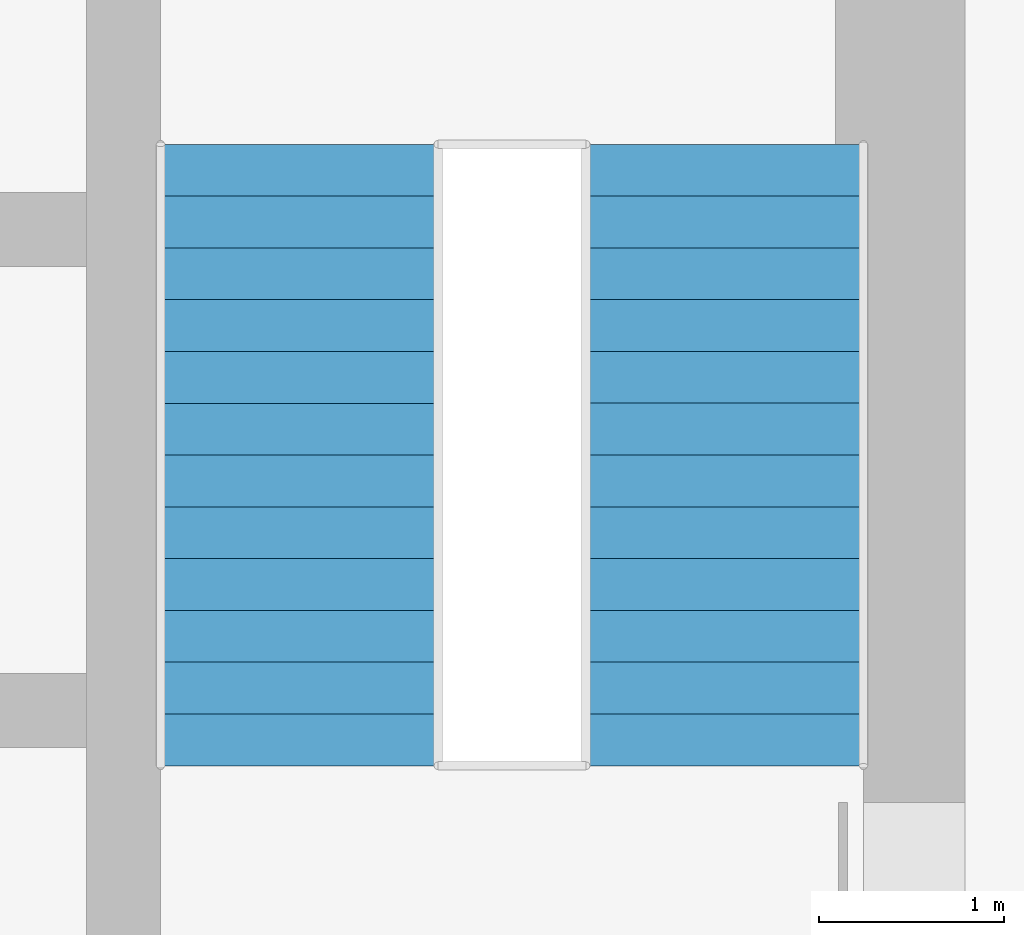
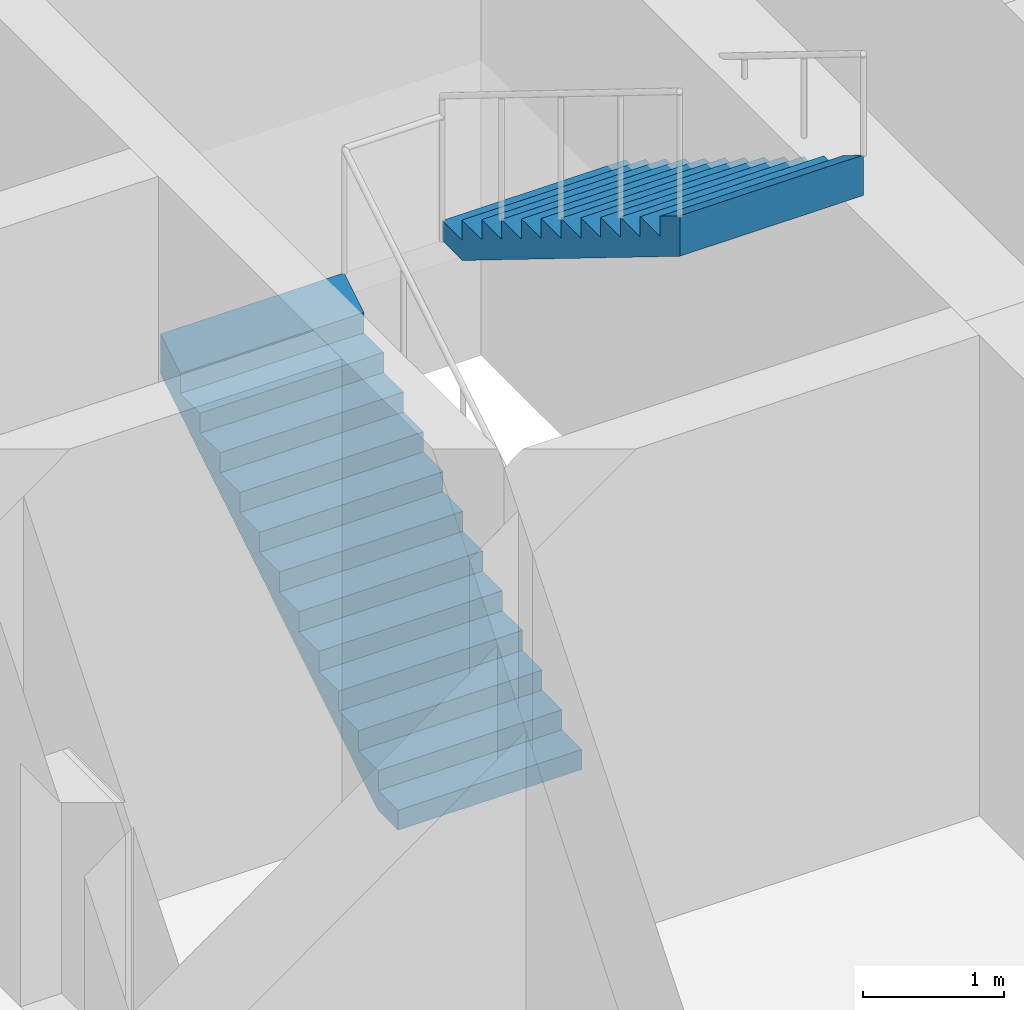
# One storey, part 18 of 23: 2 stair flights, 1 element without a shape of its own.
"""IFC4 building model written with IfcOpenShell, lengths in metres."""

import ifcopenshell
import ifcopenshell.guid

model = None  # the IFC model being written
_history = None  # IfcOwnerHistory: only IFC2X3 demands one
_inside = {}  # id of a spatial element -> (the spatial element, [elements in it])
_under = {}  # id of a project, library or spatial element -> (it, [spatial elements below it])
_declared = {}  # id of a project -> (the project, [libraries it declares])
_typed = {}  # id of a type object -> (the type object, [elements of that type])
_made_of = {}  # id of a material, layer set ... -> (it, [elements and type objects made of it])


def new_model(schema):
    """Start an empty IFC model of exactly this schema.

    Asked for "IFC4X3", IfcOpenShell would pick the latest addendum, in which some entities
    have other attributes; the version numbers below select the first issue.
    IFC2X3 requires an IfcOwnerHistory on every rooted entity: one is made here for all.
    """
    global model, _history
    if schema == "IFC4X3":
        model = ifcopenshell.file(schema_version=(4, 3, 0, 0))
    else:
        model = ifcopenshell.file(schema=schema)
    _inside.clear()
    _under.clear()
    _declared.clear()
    _typed.clear()
    _made_of.clear()
    _history = None
    if model.schema == "IFC2X3":
        org = make("IfcOrganization", Name="unknown")
        user = make(
            "IfcPersonAndOrganization",
            ThePerson=make("IfcPerson", FamilyName="unknown"),
            TheOrganization=org,
        )
        app = make(
            "IfcApplication",
            ApplicationDeveloper=org,
            Version="unknown",
            ApplicationFullName="unknown",
            ApplicationIdentifier="unknown",
        )
        _history = make(
            "IfcOwnerHistory",
            OwningUser=user,
            OwningApplication=app,
            ChangeAction="ADDED",
            CreationDate=0,
        )
    return model


def make(cls, **values):
    """One entity of the class cls with the attributes given. An attribute that is None is left unset."""
    return model.create_entity(
        cls, **{name: value for name, value in values.items() if value is not None}
    )


def rooted(cls, **values):
    """An entity with a GlobalId (a new one), such as an element, a storey or a relation."""
    return make(cls, GlobalId=ifcopenshell.guid.new(), OwnerHistory=_history, **values)


def si_unit(unit_type, name, prefix=None):
    """IfcSIUnit, for example si_unit("LENGTHUNIT", "METRE", prefix="MILLI")."""
    return make("IfcSIUnit", UnitType=unit_type, Prefix=prefix, Name=name)


def assignment(units):
    """IfcUnitAssignment: the units of a project."""
    return None if units is None else make("IfcUnitAssignment", Units=units)


def point(xyz):
    """IfcCartesianPoint."""
    return None if xyz is None else make("IfcCartesianPoint", Coordinates=xyz)


def direction(xyz):
    """IfcDirection."""
    return None if xyz is None else make("IfcDirection", DirectionRatios=xyz)


def frame(location, z_axis=None, x_axis=None):
    """IfcAxis2Placement3D, a coordinate frame: its origin and axes. An axis left out is left unset."""
    return make(
        "IfcAxis2Placement3D",
        Location=point(location),
        Axis=direction(z_axis),
        RefDirection=direction(x_axis),
    )


def origin():
    """The frame at (0, 0, 0) with its axes left unset."""
    return frame((0.0, 0.0, 0.0))


def place(relative_to, where):
    """IfcLocalPlacement: puts the frame where relative to a parent placement (None: the world)."""
    return make(
        "IfcLocalPlacement", PlacementRelTo=relative_to, RelativePlacement=where
    )


def context(
    kind, dimensions, precision=None, world=None, true_north=None, identifier=None
):
    """IfcGeometricRepresentationContext, for example the 3D "Model" context."""
    return make(
        "IfcGeometricRepresentationContext",
        ContextIdentifier=identifier,
        ContextType=kind,
        CoordinateSpaceDimension=dimensions,
        Precision=precision,
        WorldCoordinateSystem=world,
        TrueNorth=true_north,
    )


def subcontext(parent, identifier, kind, view, scale=None):
    """IfcGeometricRepresentationSubContext, for example "Body" below "Model"."""
    return make(
        "IfcGeometricRepresentationSubContext",
        ContextIdentifier=identifier,
        ContextType=kind,
        ParentContext=parent,
        TargetScale=scale,
        TargetView=view,
    )


def project(units=None, contexts=None):
    """IfcProject with its units and contexts."""
    return rooted(
        "IfcProject",
        Name="project",
        RepresentationContexts=contexts,
        UnitsInContext=assignment(units),
    )


def spatial(cls, under=None, at=None, **own):
    """A site, building, storey or space (cls), placed at a placement, below another one or the project."""
    s = rooted(cls, ObjectPlacement=at, **own)
    if under is not None:
        _under.setdefault(under.id(), (under, []))[1].append(s)
    return s


def point_list(points):
    """IfcCartesianPointList2D or 3D."""
    cls = (
        "IfcCartesianPointList2D" if len(points[0]) == 2 else "IfcCartesianPointList3D"
    )
    return make(cls, CoordList=points)


def triangles(points, corners, closed=None, point_numbers=None):
    """IfcTriangulatedFaceSet: each triangle names its three corners, points numbered from 1."""
    return make(
        "IfcTriangulatedFaceSet",
        Coordinates=point_list(points),
        Closed=closed,
        CoordIndex=corners,
        PnIndex=point_numbers,
    )


def shape(context_of_items, identifier, shape_type, items):
    """IfcShapeRepresentation: the items that make up one representation, for example the "Body"."""
    return make(
        "IfcShapeRepresentation",
        ContextOfItems=context_of_items,
        RepresentationIdentifier=identifier,
        RepresentationType=shape_type,
        Items=items,
    )


def material(Name=None, Category=None):
    """IfcMaterial."""
    return make("IfcMaterial", Name=Name, Category=Category)


def made_of(thing, what):
    """Note that an element or type object is made of a material, layer set ...; save() writes the relation."""
    if what is not None:
        _made_of.setdefault(what.id(), (what, []))[1].append(thing)
    return thing


def type_object(cls, material=None, **own):
    """A type object (cls), such as IfcWallType, which elements share."""
    return made_of(rooted(cls, **own), material)


def element(
    cls,
    number,
    at=None,
    inside=None,
    cuts=None,
    type_object=None,
    material=None,
    context=None,
    identifier="Body",
    shape_type=None,
    held_by="IfcProductDefinitionShape",
    body=None,
    shapes=None,
    **own,
):
    """One element of the class cls, such as IfcWall. Its Tag is "e" and its number.

    at: its placement. inside: the storey or other place that contains it. cuts: it is an
    opening in that element (IfcRelVoidsElement). A single representation is given by context,
    identifier, shape_type and body (its items); several are given by shapes. held_by: the class
    of the entity that holds the representations. save() writes the other relations.
    """
    e = rooted(cls, Tag="e%d" % number, ObjectPlacement=at, **own)
    if body is not None:
        shapes = [shape(context, identifier, shape_type, body)]
    if shapes is not None:
        e.Representation = make(held_by, Representations=shapes)
    if inside is not None:
        _inside.setdefault(inside.id(), (inside, []))[1].append(e)
    if cuts is not None:
        rooted(
            "IfcRelVoidsElement", RelatingBuildingElement=cuts, RelatedOpeningElement=e
        )
    if type_object is not None:
        _typed.setdefault(type_object.id(), (type_object, []))[1].append(e)
    return made_of(e, material)


def aggregate(whole, parts):
    """IfcRelAggregates: a whole, such as a stair, and the parts it consists of."""
    return rooted("IfcRelAggregates", RelatingObject=whole, RelatedObjects=parts)


def save(model, path):
    """Write the relations noted so far, then the file.

    IfcRelAggregates (storeys below a building ...), IfcRelContainedInSpatialStructure (elements
    in a storey), IfcRelDefinesByType, IfcRelAssociatesMaterial and IfcRelDeclares: one each for
    every whole, place, type object, material and project.
    """
    for whole, parts in _under.values():
        aggregate(whole, parts)
    for where, things in _inside.values():
        rooted(
            "IfcRelContainedInSpatialStructure",
            RelatedElements=things,
            RelatingStructure=where,
        )
    for kind, things in _typed.values():
        rooted("IfcRelDefinesByType", RelatedObjects=things, RelatingType=kind)
    for what, things in _made_of.values():
        rooted("IfcRelAssociatesMaterial", RelatedObjects=things, RelatingMaterial=what)
    for by, libraries in _declared.values():
        rooted("IfcRelDeclares", RelatingContext=by, RelatedDefinitions=libraries)
    model.write(path)


model = new_model("IFC4")

# Units and contexts
model_context = context("Model", 3, precision=1e-05, world=origin(), true_north=direction((0.0, 1.0)))
body_context = subcontext(model_context, "Body", "Model", "MODEL_VIEW")
ifc_project = project(units=[si_unit("LENGTHUNIT", "METRE"), si_unit("AREAUNIT", "SQUARE_METRE"), si_unit("VOLUMEUNIT", "CUBIC_METRE"), si_unit("PLANEANGLEUNIT", "RADIAN"), si_unit("MASSUNIT", "GRAM", prefix="KILO")], contexts=[model_context])

# Site, building, storey
site_placement = place(None, origin())
site = spatial("IfcSite", under=ifc_project, at=site_placement, CompositionType="ELEMENT")
building_placement = place(site_placement, origin())
building = spatial("IfcBuilding", under=site, at=building_placement, Name="Ludao Terraces", CompositionType="ELEMENT")
storey_placement = place(building_placement, frame((0.0, 0.0, 10.5)))
storey = spatial("IfcBuildingStorey", under=building, at=storey_placement, Name="L02", CompositionType="ELEMENT", Elevation=10.5)

# Stair, stair flights
ifc_material = material(Name="Concrete C40", Category="concrete")
stair_type = type_object("IfcStairType", Name="INT Stair", PredefinedType="HALF_TURN_STAIR", material=ifc_material)
stair_placement = place(storey_placement, origin())
stair = element("IfcStair", 1, at=stair_placement, inside=storey, type_object=stair_type, Name="EXIT STAIR 2", PredefinedType="HALF_TURN_STAIR")
stair_flight_type = type_object("IfcStairFlightType", Name="INT Stair flight", PredefinedType="STRAIGHT", material=ifc_material)
stair_flight_1_placement = place(storey_placement, frame((91.5, 79.0, 0.0), z_axis=(0.0, 0.0, 1.0), x_axis=(0.0, 1.0, 0.0)))
stair_flight_1 = element("IfcStairFlight", 2, at=stair_flight_1_placement, type_object=stair_flight_type, Name="ST2 flight 1", NumberOfRisers=13, NumberOfTreads=12, PredefinedType="STRAIGHT", RiserHeight=0.173077, TreadLength=0.28, context=body_context, shape_type="Tessellation", body=[
    triangles([(0.0, -0.75, 0.0), (0.0, -0.5, 0.0), (0.0, -0.25, 0.0), (0.0, 0.0, 0.0), (0.0, 0.25, 0.0), (0.0, 0.5, 0.0), (0.0, 0.75, 0.0), (0.0, -0.75, 0.173095703125), (0.0, -0.5, 0.173095703125), (0.0, -0.25, 0.173095703125), (0.0, 0.0, 0.173095703125), (0.0, 0.25, 0.173095703125), (0.0, 0.5, 0.173095703125), (0.0, 0.75, 0.173095703125), (0.280029296875, -0.75, 0.173095703125), (0.280029296875, -0.5, 0.173095703125), (0.280029296875, -0.25, 0.173095703125), (0.280029296875, 0.0, 0.173095703125), (0.280029296875, 0.25, 0.173095703125), (0.280029296875, 0.5, 0.173095703125), (0.280029296875, 0.75, 0.173095703125), (0.280029296875, -0.75, 0.34619140625), (0.280029296875, -0.5, 0.34619140625), (0.280029296875, -0.25, 0.34619140625), (0.280029296875, 0.0, 0.34619140625), (0.280029296875, 0.25, 0.34619140625), (0.280029296875, 0.5, 0.34619140625), (0.280029296875, 0.75, 0.34619140625), (0.56005859375, -0.75, 0.34619140625), (0.56005859375, -0.5, 0.34619140625), (0.56005859375, -0.25, 0.34619140625), (0.56005859375, 0.0, 0.34619140625), (0.56005859375, 0.25, 0.34619140625), (0.56005859375, 0.5, 0.34619140625), (0.56005859375, 0.75, 0.34619140625), (0.56005859375, -0.75, 0.519287109375), (0.56005859375, -0.5, 0.519287109375), (0.56005859375, -0.25, 0.519287109375), (0.56005859375, 0.0, 0.519287109375), (0.56005859375, 0.25, 0.519287109375), (0.56005859375, 0.5, 0.519287109375), (0.56005859375, 0.75, 0.519287109375), (0.840087890625, -0.75, 0.519287109375), (0.840087890625, -0.5, 0.519287109375), (0.840087890625, -0.25, 0.519287109375), (0.840087890625, 0.0, 0.519287109375), (0.840087890625, 0.25, 0.519287109375), (0.840087890625, 0.5, 0.519287109375), (0.840087890625, 0.75, 0.519287109375), (0.840087890625, -0.75, 0.6923828125), (0.840087890625, -0.5, 0.6923828125), (0.840087890625, -0.25, 0.6923828125), (0.840087890625, 0.0, 0.6923828125), (0.840087890625, 0.25, 0.6923828125), (0.840087890625, 0.5, 0.6923828125), (0.840087890625, 0.75, 0.6923828125), (1.1201171875, -0.75, 0.6923828125), (1.1201171875, -0.5, 0.6923828125), (1.1201171875, -0.25, 0.6923828125), (1.1201171875, 0.0, 0.6923828125), (1.1201171875, 0.25, 0.6923828125), (1.1201171875, 0.5, 0.6923828125), (1.1201171875, 0.75, 0.6923828125), (1.1201171875, -0.75, 0.865478515625), (1.1201171875, -0.5, 0.865478515625), (1.1201171875, -0.25, 0.865478515625), (1.1201171875, 0.0, 0.865478515625), (1.1201171875, 0.25, 0.865478515625), (1.1201171875, 0.5, 0.865478515625), (1.1201171875, 0.75, 0.865478515625), (1.39990234375, -0.75, 0.865478515625), (1.39990234375, -0.5, 0.865478515625), (1.39990234375, -0.25, 0.865478515625), (1.39990234375, 0.0, 0.865478515625), (1.39990234375, 0.25, 0.865478515625), (1.39990234375, 0.5, 0.865478515625), (1.39990234375, 0.75, 0.865478515625), (1.39990234375, -0.75, 1.03857421875), (1.39990234375, -0.5, 1.03857421875), (1.39990234375, -0.25, 1.03857421875), (1.39990234375, 0.0, 1.03857421875), (1.39990234375, 0.25, 1.03857421875), (1.39990234375, 0.5, 1.03857421875), (1.39990234375, 0.75, 1.03857421875), (1.679931640625, -0.75, 1.03857421875), (1.679931640625, -0.5, 1.03857421875), (1.679931640625, -0.25, 1.03857421875), (1.679931640625, 0.0, 1.03857421875), (1.679931640625, 0.25, 1.03857421875), (1.679931640625, 0.5, 1.03857421875), (1.679931640625, 0.75, 1.03857421875), (1.679931640625, -0.75, 1.21142578125), (1.679931640625, -0.5, 1.21142578125), (1.679931640625, -0.25, 1.21142578125), (1.679931640625, 0.0, 1.21142578125), (1.679931640625, 0.25, 1.21142578125), (1.679931640625, 0.5, 1.21142578125), (1.679931640625, 0.75, 1.21142578125), (1.9599609375, -0.75, 1.21142578125), (1.9599609375, -0.5, 1.21142578125), (1.9599609375, -0.25, 1.21142578125), (1.9599609375, 0.0, 1.21142578125), (1.9599609375, 0.25, 1.21142578125), (1.9599609375, 0.5, 1.21142578125), (1.9599609375, 0.75, 1.21142578125), (1.9599609375, -0.75, 1.384521484375), (1.9599609375, -0.5, 1.384521484375), (1.9599609375, -0.25, 1.384521484375), (1.9599609375, 0.0, 1.384521484375), (1.9599609375, 0.25, 1.384521484375), (1.9599609375, 0.5, 1.384521484375), (1.9599609375, 0.75, 1.384521484375), (2.239990234375, -0.75, 1.384521484375), (2.239990234375, -0.5, 1.384521484375), (2.239990234375, -0.25, 1.384521484375), (2.239990234375, 0.0, 1.384521484375), (2.239990234375, 0.25, 1.384521484375), (2.239990234375, 0.5, 1.384521484375), (2.239990234375, 0.75, 1.384521484375), (2.239990234375, -0.75, 1.5576171875), (2.239990234375, -0.5, 1.5576171875), (2.239990234375, -0.25, 1.5576171875), (2.239990234375, 0.0, 1.5576171875), (2.239990234375, 0.25, 1.5576171875), (2.239990234375, 0.5, 1.5576171875), (2.239990234375, 0.75, 1.5576171875), (2.52001953125, -0.75, 1.5576171875), (2.52001953125, -0.5, 1.5576171875), (2.52001953125, -0.25, 1.5576171875), (2.52001953125, 0.0, 1.5576171875), (2.52001953125, 0.25, 1.5576171875), (2.52001953125, 0.5, 1.5576171875), (2.52001953125, 0.75, 1.5576171875), (2.52001953125, -0.75, 1.730712890625), (2.52001953125, -0.5, 1.730712890625), (2.52001953125, -0.25, 1.730712890625), (2.52001953125, 0.0, 1.730712890625), (2.52001953125, 0.25, 1.730712890625), (2.52001953125, 0.5, 1.730712890625), (2.52001953125, 0.75, 1.730712890625), (2.800048828125, -0.75, 1.730712890625), (2.800048828125, -0.5, 1.730712890625), (2.800048828125, -0.25, 1.730712890625), (2.800048828125, 0.0, 1.730712890625), (2.800048828125, 0.25, 1.730712890625), (2.800048828125, 0.5, 1.730712890625), (2.800048828125, 0.75, 1.730712890625), (2.800048828125, -0.75, 1.90380859375), (2.800048828125, -0.5, 1.90380859375), (2.800048828125, -0.25, 1.90380859375), (2.800048828125, 0.0, 1.90380859375), (2.800048828125, 0.25, 1.90380859375), (2.800048828125, 0.5, 1.90380859375), (2.800048828125, 0.75, 1.90380859375), (3.080078125, -0.75, 1.90380859375), (3.080078125, -0.5, 1.90380859375), (3.080078125, -0.25, 1.90380859375), (3.080078125, 0.0, 1.90380859375), (3.080078125, 0.25, 1.90380859375), (3.080078125, 0.5, 1.90380859375), (3.080078125, 0.75, 1.90380859375), (3.080078125, -0.75, 2.076904296875), (3.080078125, -0.5, 2.076904296875), (3.080078125, -0.25, 2.076904296875), (3.080078125, 0.0, 2.076904296875), (3.080078125, 0.25, 2.076904296875), (3.080078125, 0.5, 2.076904296875), (3.080078125, 0.75, 2.076904296875), (3.360107421875, -0.75, 2.25), (3.360107421875, -0.5, 2.25), (3.360107421875, -0.25, 2.25), (3.360107421875, 0.0, 2.25), (3.360107421875, 0.25, 2.25), (3.360107421875, 0.5, 2.25), (3.360107421875, 0.75, 2.25), (3.360107421875, -0.75, 1.900634765625), (3.360107421875, -0.5, 1.900634765625), (3.360107421875, -0.25, 1.900634765625), (3.360107421875, 0.0, 1.900634765625), (3.360107421875, 0.25, 1.900634765625), (3.360107421875, 0.5, 1.900634765625), (3.360107421875, 0.75, 1.900634765625), (0.28515625, -0.75, 0.0), (0.28515625, -0.5, 0.0), (0.28515625, -0.25, 0.0), (0.28515625, 0.0, 0.0), (0.28515625, 0.25, 0.0), (0.28515625, 0.5, 0.0), (0.28515625, 0.75, 0.0)], [[1, 183, 176], [7, 182, 189], [176, 169, 162], [182, 168, 175], [176, 162, 155], [182, 161, 168], [176, 155, 148], [182, 154, 161], [176, 148, 141], [182, 147, 154], [141, 134, 127], [147, 133, 140], [176, 141, 127], [182, 133, 147], [127, 120, 113], [133, 119, 126], [176, 127, 113], [182, 119, 133], [113, 106, 99], [119, 105, 112], [176, 113, 99], [182, 105, 119], [1, 176, 99], [7, 105, 182], [99, 92, 85], [105, 91, 98], [85, 78, 71], [91, 77, 84], [99, 85, 71], [105, 77, 91], [71, 64, 57], [77, 63, 70], [99, 71, 57], [105, 63, 77], [57, 50, 43], [63, 49, 56], [99, 57, 43], [105, 49, 63], [43, 36, 29], [49, 35, 42], [99, 43, 29], [105, 35, 49], [29, 22, 15], [35, 21, 28], [99, 29, 15], [105, 21, 35], [1, 99, 15], [7, 21, 105], [15, 8, 1], [21, 7, 14], [1, 9, 2], [1, 8, 9], [2, 10, 3], [2, 9, 10], [3, 11, 4], [3, 10, 11], [4, 12, 5], [4, 11, 12], [5, 13, 6], [5, 12, 13], [6, 14, 7], [6, 13, 14], [8, 16, 9], [8, 15, 16], [9, 17, 10], [9, 16, 17], [10, 18, 11], [10, 17, 18], [11, 19, 12], [11, 18, 19], [12, 20, 13], [12, 19, 20], [13, 21, 14], [13, 20, 21], [15, 23, 16], [15, 22, 23], [16, 24, 17], [16, 23, 24], [17, 25, 18], [17, 24, 25], [18, 26, 19], [18, 25, 26], [19, 27, 20], [19, 26, 27], [20, 28, 21], [20, 27, 28], [22, 30, 23], [22, 29, 30], [23, 31, 24], [23, 30, 31], [24, 32, 25], [24, 31, 32], [25, 33, 26], [25, 32, 33], [26, 34, 27], [26, 33, 34], [27, 35, 28], [27, 34, 35], [29, 37, 30], [29, 36, 37], [30, 38, 31], [30, 37, 38], [31, 39, 32], [31, 38, 39], [32, 40, 33], [32, 39, 40], [33, 41, 34], [33, 40, 41], [34, 42, 35], [34, 41, 42], [36, 44, 37], [36, 43, 44], [37, 45, 38], [37, 44, 45], [38, 46, 39], [38, 45, 46], [39, 47, 40], [39, 46, 47], [40, 48, 41], [40, 47, 48], [41, 49, 42], [41, 48, 49], [43, 51, 44], [43, 50, 51], [44, 52, 45], [44, 51, 52], [45, 53, 46], [45, 52, 53], [46, 54, 47], [46, 53, 54], [47, 55, 48], [47, 54, 55], [48, 56, 49], [48, 55, 56], [50, 58, 51], [50, 57, 58], [51, 59, 52], [51, 58, 59], [52, 60, 53], [52, 59, 60], [53, 61, 54], [53, 60, 61], [54, 62, 55], [54, 61, 62], [55, 63, 56], [55, 62, 63], [57, 65, 58], [57, 64, 65], [58, 66, 59], [58, 65, 66], [59, 67, 60], [59, 66, 67], [60, 68, 61], [60, 67, 68], [61, 69, 62], [61, 68, 69], [62, 70, 63], [62, 69, 70], [64, 72, 65], [64, 71, 72], [65, 73, 66], [65, 72, 73], [66, 74, 67], [66, 73, 74], [67, 75, 68], [67, 74, 75], [68, 76, 69], [68, 75, 76], [69, 77, 70], [69, 76, 77], [71, 79, 72], [71, 78, 79], [72, 80, 73], [72, 79, 80], [73, 81, 74], [73, 80, 81], [74, 82, 75], [74, 81, 82], [75, 83, 76], [75, 82, 83], [76, 84, 77], [76, 83, 84], [78, 86, 79], [78, 85, 86], [79, 87, 80], [79, 86, 87], [80, 88, 81], [80, 87, 88], [81, 89, 82], [81, 88, 89], [82, 90, 83], [82, 89, 90], [83, 91, 84], [83, 90, 91], [85, 93, 86], [85, 92, 93], [86, 94, 87], [86, 93, 94], [87, 95, 88], [87, 94, 95], [88, 96, 89], [88, 95, 96], [89, 97, 90], [89, 96, 97], [90, 98, 91], [90, 97, 98], [92, 100, 93], [92, 99, 100], [93, 101, 94], [93, 100, 101], [94, 102, 95], [94, 101, 102], [95, 103, 96], [95, 102, 103], [96, 104, 97], [96, 103, 104], [97, 105, 98], [97, 104, 105], [99, 107, 100], [99, 106, 107], [100, 108, 101], [100, 107, 108], [101, 109, 102], [101, 108, 109], [102, 110, 103], [102, 109, 110], [103, 111, 104], [103, 110, 111], [104, 112, 105], [104, 111, 112], [106, 114, 107], [106, 113, 114], [107, 115, 108], [107, 114, 115], [108, 116, 109], [108, 115, 116], [109, 117, 110], [109, 116, 117], [110, 118, 111], [110, 117, 118], [111, 119, 112], [111, 118, 119], [113, 121, 114], [113, 120, 121], [114, 122, 115], [114, 121, 122], [115, 123, 116], [115, 122, 123], [116, 124, 117], [116, 123, 124], [117, 125, 118], [117, 124, 125], [118, 126, 119], [118, 125, 126], [120, 128, 121], [120, 127, 128], [121, 129, 122], [121, 128, 129], [122, 130, 123], [122, 129, 130], [123, 131, 124], [123, 130, 131], [124, 132, 125], [124, 131, 132], [125, 133, 126], [125, 132, 133], [127, 135, 128], [127, 134, 135], [128, 136, 129], [128, 135, 136], [129, 137, 130], [129, 136, 137], [130, 138, 131], [130, 137, 138], [131, 139, 132], [131, 138, 139], [132, 140, 133], [132, 139, 140], [134, 142, 135], [134, 141, 142], [135, 143, 136], [135, 142, 143], [136, 144, 137], [136, 143, 144], [137, 145, 138], [137, 144, 145], [138, 146, 139], [138, 145, 146], [139, 147, 140], [139, 146, 147], [141, 149, 142], [141, 148, 149], [142, 150, 143], [142, 149, 150], [143, 151, 144], [143, 150, 151], [144, 152, 145], [144, 151, 152], [145, 153, 146], [145, 152, 153], [146, 154, 147], [146, 153, 154], [148, 156, 149], [148, 155, 156], [149, 157, 150], [149, 156, 157], [150, 158, 151], [150, 157, 158], [151, 159, 152], [151, 158, 159], [152, 160, 153], [152, 159, 160], [153, 161, 154], [153, 160, 161], [155, 163, 156], [155, 162, 163], [156, 164, 157], [156, 163, 164], [157, 165, 158], [157, 164, 165], [158, 166, 159], [158, 165, 166], [159, 167, 160], [159, 166, 167], [160, 168, 161], [160, 167, 168], [162, 170, 163], [162, 169, 170], [163, 171, 164], [163, 170, 171], [164, 172, 165], [164, 171, 172], [165, 173, 166], [165, 172, 173], [166, 174, 167], [166, 173, 174], [167, 175, 168], [167, 174, 175], [169, 177, 170], [169, 176, 177], [170, 178, 171], [170, 177, 178], [171, 179, 172], [171, 178, 179], [172, 180, 173], [172, 179, 180], [173, 181, 174], [173, 180, 181], [174, 182, 175], [174, 181, 182], [176, 184, 177], [176, 183, 184], [177, 185, 178], [177, 184, 185], [178, 186, 179], [178, 185, 186], [179, 187, 180], [179, 186, 187], [180, 188, 181], [180, 187, 188], [181, 189, 182], [181, 188, 189], [183, 2, 184], [183, 1, 2], [184, 3, 185], [184, 2, 3], [185, 4, 186], [185, 3, 4], [186, 5, 187], [186, 4, 5], [187, 6, 188], [187, 5, 6], [188, 7, 189], [188, 6, 7]], closed=True),
])
stair_flight_2_placement = place(storey_placement, frame((93.800048828125, 82.360107421875, 2.25), z_axis=(0.0, 0.0, 1.0), x_axis=(0.0, -1.0, 0.0)))
stair_flight_2 = element("IfcStairFlight", 3, at=stair_flight_2_placement, type_object=stair_flight_type, Name="ST2 flight 2", NumberOfRisers=13, NumberOfTreads=12, PredefinedType="STRAIGHT", RiserHeight=0.173077, TreadLength=0.28, context=body_context, shape_type="Tessellation", body=[
    triangles([(0.0, -0.75, 0.0), (0.0, -0.5, 0.0), (0.0, -0.25, 0.0), (0.0, 0.0, 0.0), (0.0, 0.25, 0.0), (0.0, 0.5, 0.0), (0.0, 0.75, 0.0), (0.0, -0.75, 0.173095703125), (0.0, -0.5, 0.173095703125), (0.0, -0.25, 0.173095703125), (0.0, 0.0, 0.173095703125), (0.0, 0.25, 0.173095703125), (0.0, 0.5, 0.173095703125), (0.0, 0.75, 0.173095703125), (0.280029296875, -0.75, 0.173095703125), (0.280029296875, -0.5, 0.173095703125), (0.280029296875, -0.25, 0.173095703125), (0.280029296875, 0.0, 0.173095703125), (0.280029296875, 0.25, 0.173095703125), (0.280029296875, 0.5, 0.173095703125), (0.280029296875, 0.75, 0.173095703125), (0.280029296875, -0.75, 0.34619140625), (0.280029296875, -0.5, 0.34619140625), (0.280029296875, -0.25, 0.34619140625), (0.280029296875, 0.0, 0.34619140625), (0.280029296875, 0.25, 0.34619140625), (0.280029296875, 0.5, 0.34619140625), (0.280029296875, 0.75, 0.34619140625), (0.56005859375, -0.75, 0.34619140625), (0.56005859375, -0.5, 0.34619140625), (0.56005859375, -0.25, 0.34619140625), (0.56005859375, 0.0, 0.34619140625), (0.56005859375, 0.25, 0.34619140625), (0.56005859375, 0.5, 0.34619140625), (0.56005859375, 0.75, 0.34619140625), (0.56005859375, -0.75, 0.519287109375), (0.56005859375, -0.5, 0.519287109375), (0.56005859375, -0.25, 0.519287109375), (0.56005859375, 0.0, 0.519287109375), (0.56005859375, 0.25, 0.519287109375), (0.56005859375, 0.5, 0.519287109375), (0.56005859375, 0.75, 0.519287109375), (0.840087890625, -0.75, 0.519287109375), (0.840087890625, -0.5, 0.519287109375), (0.840087890625, -0.25, 0.519287109375), (0.840087890625, 0.0, 0.519287109375), (0.840087890625, 0.25, 0.519287109375), (0.840087890625, 0.5, 0.519287109375), (0.840087890625, 0.75, 0.519287109375), (0.840087890625, -0.75, 0.6923828125), (0.840087890625, -0.5, 0.6923828125), (0.840087890625, -0.25, 0.6923828125), (0.840087890625, 0.0, 0.6923828125), (0.840087890625, 0.25, 0.6923828125), (0.840087890625, 0.5, 0.6923828125), (0.840087890625, 0.75, 0.6923828125), (1.1201171875, -0.75, 0.6923828125), (1.1201171875, -0.5, 0.6923828125), (1.1201171875, -0.25, 0.6923828125), (1.1201171875, 0.0, 0.6923828125), (1.1201171875, 0.25, 0.6923828125), (1.1201171875, 0.5, 0.6923828125), (1.1201171875, 0.75, 0.6923828125), (1.1201171875, -0.75, 0.865478515625), (1.1201171875, -0.5, 0.865478515625), (1.1201171875, -0.25, 0.865478515625), (1.1201171875, 0.0, 0.865478515625), (1.1201171875, 0.25, 0.865478515625), (1.1201171875, 0.5, 0.865478515625), (1.1201171875, 0.75, 0.865478515625), (1.39990234375, -0.75, 0.865478515625), (1.39990234375, -0.5, 0.865478515625), (1.39990234375, -0.25, 0.865478515625), (1.39990234375, 0.0, 0.865478515625), (1.39990234375, 0.25, 0.865478515625), (1.39990234375, 0.5, 0.865478515625), (1.39990234375, 0.75, 0.865478515625), (1.39990234375, -0.75, 1.03857421875), (1.39990234375, -0.5, 1.03857421875), (1.39990234375, -0.25, 1.03857421875), (1.39990234375, 0.0, 1.03857421875), (1.39990234375, 0.25, 1.03857421875), (1.39990234375, 0.5, 1.03857421875), (1.39990234375, 0.75, 1.03857421875), (1.679931640625, -0.75, 1.03857421875), (1.679931640625, -0.5, 1.03857421875), (1.679931640625, -0.25, 1.03857421875), (1.679931640625, 0.0, 1.03857421875), (1.679931640625, 0.25, 1.03857421875), (1.679931640625, 0.5, 1.03857421875), (1.679931640625, 0.75, 1.03857421875), (1.679931640625, -0.75, 1.21142578125), (1.679931640625, -0.5, 1.21142578125), (1.679931640625, -0.25, 1.21142578125), (1.679931640625, 0.0, 1.21142578125), (1.679931640625, 0.25, 1.21142578125), (1.679931640625, 0.5, 1.21142578125), (1.679931640625, 0.75, 1.21142578125), (1.9599609375, -0.75, 1.21142578125), (1.9599609375, -0.5, 1.21142578125), (1.9599609375, -0.25, 1.21142578125), (1.9599609375, 0.0, 1.21142578125), (1.9599609375, 0.25, 1.21142578125), (1.9599609375, 0.5, 1.21142578125), (1.9599609375, 0.75, 1.21142578125), (1.9599609375, -0.75, 1.384521484375), (1.9599609375, -0.5, 1.384521484375), (1.9599609375, -0.25, 1.384521484375), (1.9599609375, 0.0, 1.384521484375), (1.9599609375, 0.25, 1.384521484375), (1.9599609375, 0.5, 1.384521484375), (1.9599609375, 0.75, 1.384521484375), (2.239990234375, -0.75, 1.384521484375), (2.239990234375, -0.5, 1.384521484375), (2.239990234375, -0.25, 1.384521484375), (2.239990234375, 0.0, 1.384521484375), (2.239990234375, 0.25, 1.384521484375), (2.239990234375, 0.5, 1.384521484375), (2.239990234375, 0.75, 1.384521484375), (2.239990234375, -0.75, 1.5576171875), (2.239990234375, -0.5, 1.5576171875), (2.239990234375, -0.25, 1.5576171875), (2.239990234375, 0.0, 1.5576171875), (2.239990234375, 0.25, 1.5576171875), (2.239990234375, 0.5, 1.5576171875), (2.239990234375, 0.75, 1.5576171875), (2.52001953125, -0.75, 1.5576171875), (2.52001953125, -0.5, 1.5576171875), (2.52001953125, -0.25, 1.5576171875), (2.52001953125, 0.0, 1.5576171875), (2.52001953125, 0.25, 1.5576171875), (2.52001953125, 0.5, 1.5576171875), (2.52001953125, 0.75, 1.5576171875), (2.52001953125, -0.75, 1.730712890625), (2.52001953125, -0.5, 1.730712890625), (2.52001953125, -0.25, 1.730712890625), (2.52001953125, 0.0, 1.730712890625), (2.52001953125, 0.25, 1.730712890625), (2.52001953125, 0.5, 1.730712890625), (2.52001953125, 0.75, 1.730712890625), (2.800048828125, -0.75, 1.730712890625), (2.800048828125, -0.5, 1.730712890625), (2.800048828125, -0.25, 1.730712890625), (2.800048828125, 0.0, 1.730712890625), (2.800048828125, 0.25, 1.730712890625), (2.800048828125, 0.5, 1.730712890625), (2.800048828125, 0.75, 1.730712890625), (2.800048828125, -0.75, 1.90380859375), (2.800048828125, -0.5, 1.90380859375), (2.800048828125, -0.25, 1.90380859375), (2.800048828125, 0.0, 1.90380859375), (2.800048828125, 0.25, 1.90380859375), (2.800048828125, 0.5, 1.90380859375), (2.800048828125, 0.75, 1.90380859375), (3.080078125, -0.75, 1.90380859375), (3.080078125, -0.5, 1.90380859375), (3.080078125, -0.25, 1.90380859375), (3.080078125, 0.0, 1.90380859375), (3.080078125, 0.25, 1.90380859375), (3.080078125, 0.5, 1.90380859375), (3.080078125, 0.75, 1.90380859375), (3.080078125, -0.75, 2.076904296875), (3.080078125, -0.5, 2.076904296875), (3.080078125, -0.25, 2.076904296875), (3.080078125, 0.0, 2.076904296875), (3.080078125, 0.25, 2.076904296875), (3.080078125, 0.5, 2.076904296875), (3.080078125, 0.75, 2.076904296875), (3.360107421875, -0.75, 2.25), (3.360107421875, -0.5, 2.25), (3.360107421875, -0.25, 2.25), (3.360107421875, 0.0, 2.25), (3.360107421875, 0.25, 2.25), (3.360107421875, 0.5, 2.25), (3.360107421875, 0.75, 2.25), (3.360107421875, -0.75, 1.900634765625), (3.360107421875, -0.5, 1.900634765625), (3.360107421875, -0.25, 1.900634765625), (3.360107421875, 0.0, 1.900634765625), (3.360107421875, 0.25, 1.900634765625), (3.360107421875, 0.5, 1.900634765625), (3.360107421875, 0.75, 1.900634765625), (0.28515625, -0.75, 0.0), (0.28515625, -0.5, 0.0), (0.28515625, -0.25, 0.0), (0.28515625, 0.0, 0.0), (0.28515625, 0.25, 0.0), (0.28515625, 0.5, 0.0), (0.28515625, 0.75, 0.0)], [[1, 183, 176], [7, 182, 189], [176, 169, 162], [182, 168, 175], [176, 162, 155], [182, 161, 168], [176, 155, 148], [182, 154, 161], [176, 148, 141], [182, 147, 154], [141, 134, 127], [147, 133, 140], [176, 141, 127], [182, 133, 147], [127, 120, 113], [133, 119, 126], [176, 127, 113], [182, 119, 133], [113, 106, 99], [119, 105, 112], [176, 113, 99], [182, 105, 119], [1, 176, 99], [7, 105, 182], [99, 92, 85], [105, 91, 98], [85, 78, 71], [91, 77, 84], [99, 85, 71], [105, 77, 91], [71, 64, 57], [77, 63, 70], [99, 71, 57], [105, 63, 77], [57, 50, 43], [63, 49, 56], [99, 57, 43], [105, 49, 63], [43, 36, 29], [49, 35, 42], [99, 43, 29], [105, 35, 49], [29, 22, 15], [35, 21, 28], [99, 29, 15], [105, 21, 35], [1, 99, 15], [7, 21, 105], [15, 8, 1], [21, 7, 14], [1, 9, 2], [1, 8, 9], [2, 10, 3], [2, 9, 10], [3, 11, 4], [3, 10, 11], [4, 12, 5], [4, 11, 12], [5, 13, 6], [5, 12, 13], [6, 14, 7], [6, 13, 14], [8, 16, 9], [8, 15, 16], [9, 17, 10], [9, 16, 17], [10, 18, 11], [10, 17, 18], [11, 19, 12], [11, 18, 19], [12, 20, 13], [12, 19, 20], [13, 21, 14], [13, 20, 21], [15, 23, 16], [15, 22, 23], [16, 24, 17], [16, 23, 24], [17, 25, 18], [17, 24, 25], [18, 26, 19], [18, 25, 26], [19, 27, 20], [19, 26, 27], [20, 28, 21], [20, 27, 28], [22, 30, 23], [22, 29, 30], [23, 31, 24], [23, 30, 31], [24, 32, 25], [24, 31, 32], [25, 33, 26], [25, 32, 33], [26, 34, 27], [26, 33, 34], [27, 35, 28], [27, 34, 35], [29, 37, 30], [29, 36, 37], [30, 38, 31], [30, 37, 38], [31, 39, 32], [31, 38, 39], [32, 40, 33], [32, 39, 40], [33, 41, 34], [33, 40, 41], [34, 42, 35], [34, 41, 42], [36, 44, 37], [36, 43, 44], [37, 45, 38], [37, 44, 45], [38, 46, 39], [38, 45, 46], [39, 47, 40], [39, 46, 47], [40, 48, 41], [40, 47, 48], [41, 49, 42], [41, 48, 49], [43, 51, 44], [43, 50, 51], [44, 52, 45], [44, 51, 52], [45, 53, 46], [45, 52, 53], [46, 54, 47], [46, 53, 54], [47, 55, 48], [47, 54, 55], [48, 56, 49], [48, 55, 56], [50, 58, 51], [50, 57, 58], [51, 59, 52], [51, 58, 59], [52, 60, 53], [52, 59, 60], [53, 61, 54], [53, 60, 61], [54, 62, 55], [54, 61, 62], [55, 63, 56], [55, 62, 63], [57, 65, 58], [57, 64, 65], [58, 66, 59], [58, 65, 66], [59, 67, 60], [59, 66, 67], [60, 68, 61], [60, 67, 68], [61, 69, 62], [61, 68, 69], [62, 70, 63], [62, 69, 70], [64, 72, 65], [64, 71, 72], [65, 73, 66], [65, 72, 73], [66, 74, 67], [66, 73, 74], [67, 75, 68], [67, 74, 75], [68, 76, 69], [68, 75, 76], [69, 77, 70], [69, 76, 77], [71, 79, 72], [71, 78, 79], [72, 80, 73], [72, 79, 80], [73, 81, 74], [73, 80, 81], [74, 82, 75], [74, 81, 82], [75, 83, 76], [75, 82, 83], [76, 84, 77], [76, 83, 84], [78, 86, 79], [78, 85, 86], [79, 87, 80], [79, 86, 87], [80, 88, 81], [80, 87, 88], [81, 89, 82], [81, 88, 89], [82, 90, 83], [82, 89, 90], [83, 91, 84], [83, 90, 91], [85, 93, 86], [85, 92, 93], [86, 94, 87], [86, 93, 94], [87, 95, 88], [87, 94, 95], [88, 96, 89], [88, 95, 96], [89, 97, 90], [89, 96, 97], [90, 98, 91], [90, 97, 98], [92, 100, 93], [92, 99, 100], [93, 101, 94], [93, 100, 101], [94, 102, 95], [94, 101, 102], [95, 103, 96], [95, 102, 103], [96, 104, 97], [96, 103, 104], [97, 105, 98], [97, 104, 105], [99, 107, 100], [99, 106, 107], [100, 108, 101], [100, 107, 108], [101, 109, 102], [101, 108, 109], [102, 110, 103], [102, 109, 110], [103, 111, 104], [103, 110, 111], [104, 112, 105], [104, 111, 112], [106, 114, 107], [106, 113, 114], [107, 115, 108], [107, 114, 115], [108, 116, 109], [108, 115, 116], [109, 117, 110], [109, 116, 117], [110, 118, 111], [110, 117, 118], [111, 119, 112], [111, 118, 119], [113, 121, 114], [113, 120, 121], [114, 122, 115], [114, 121, 122], [115, 123, 116], [115, 122, 123], [116, 124, 117], [116, 123, 124], [117, 125, 118], [117, 124, 125], [118, 126, 119], [118, 125, 126], [120, 128, 121], [120, 127, 128], [121, 129, 122], [121, 128, 129], [122, 130, 123], [122, 129, 130], [123, 131, 124], [123, 130, 131], [124, 132, 125], [124, 131, 132], [125, 133, 126], [125, 132, 133], [127, 135, 128], [127, 134, 135], [128, 136, 129], [128, 135, 136], [129, 137, 130], [129, 136, 137], [130, 138, 131], [130, 137, 138], [131, 139, 132], [131, 138, 139], [132, 140, 133], [132, 139, 140], [134, 142, 135], [134, 141, 142], [135, 143, 136], [135, 142, 143], [136, 144, 137], [136, 143, 144], [137, 145, 138], [137, 144, 145], [138, 146, 139], [138, 145, 146], [139, 147, 140], [139, 146, 147], [141, 149, 142], [141, 148, 149], [142, 150, 143], [142, 149, 150], [143, 151, 144], [143, 150, 151], [144, 152, 145], [144, 151, 152], [145, 153, 146], [145, 152, 153], [146, 154, 147], [146, 153, 154], [148, 156, 149], [148, 155, 156], [149, 157, 150], [149, 156, 157], [150, 158, 151], [150, 157, 158], [151, 159, 152], [151, 158, 159], [152, 160, 153], [152, 159, 160], [153, 161, 154], [153, 160, 161], [155, 163, 156], [155, 162, 163], [156, 164, 157], [156, 163, 164], [157, 165, 158], [157, 164, 165], [158, 166, 159], [158, 165, 166], [159, 167, 160], [159, 166, 167], [160, 168, 161], [160, 167, 168], [162, 170, 163], [162, 169, 170], [163, 171, 164], [163, 170, 171], [164, 172, 165], [164, 171, 172], [165, 173, 166], [165, 172, 173], [166, 174, 167], [166, 173, 174], [167, 175, 168], [167, 174, 175], [169, 177, 170], [169, 176, 177], [170, 178, 171], [170, 177, 178], [171, 179, 172], [171, 178, 179], [172, 180, 173], [172, 179, 180], [173, 181, 174], [173, 180, 181], [174, 182, 175], [174, 181, 182], [176, 184, 177], [176, 183, 184], [177, 185, 178], [177, 184, 185], [178, 186, 179], [178, 185, 186], [179, 187, 180], [179, 186, 187], [180, 188, 181], [180, 187, 188], [181, 189, 182], [181, 188, 189], [183, 2, 184], [183, 1, 2], [184, 3, 185], [184, 2, 3], [185, 4, 186], [185, 3, 4], [186, 5, 187], [186, 4, 5], [187, 6, 188], [187, 5, 6], [188, 7, 189], [188, 6, 7]], closed=True),
])
aggregate(stair, [stair_flight_1, stair_flight_2])

save(model, "model.ifc")
